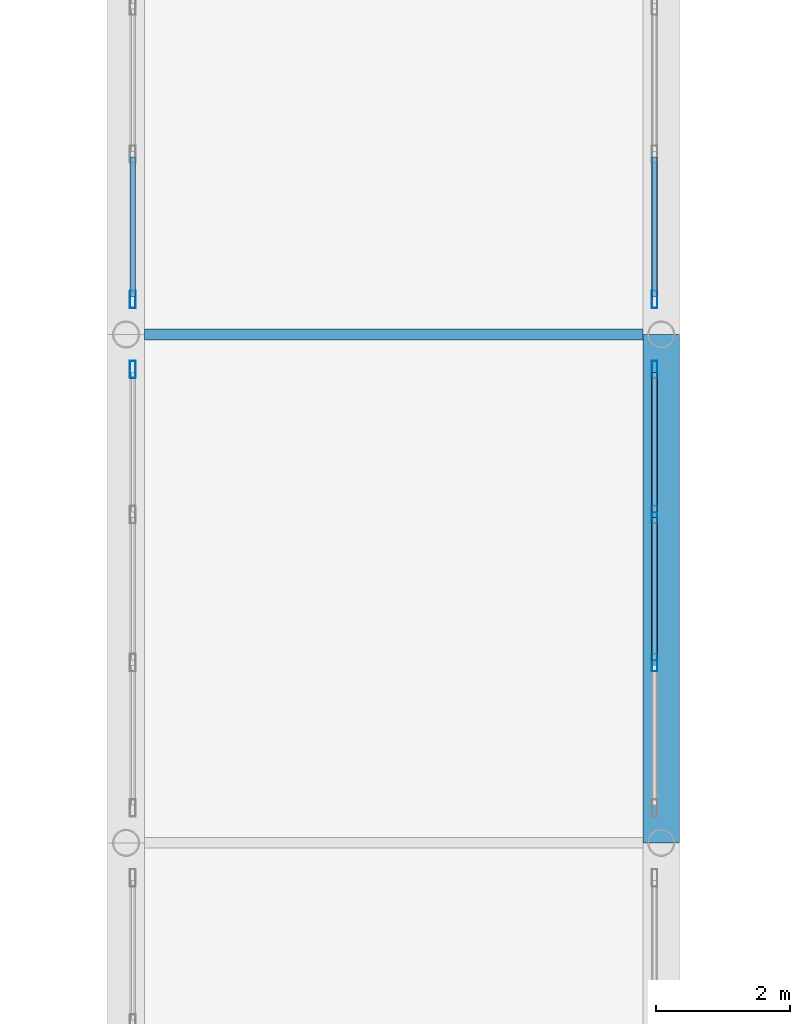
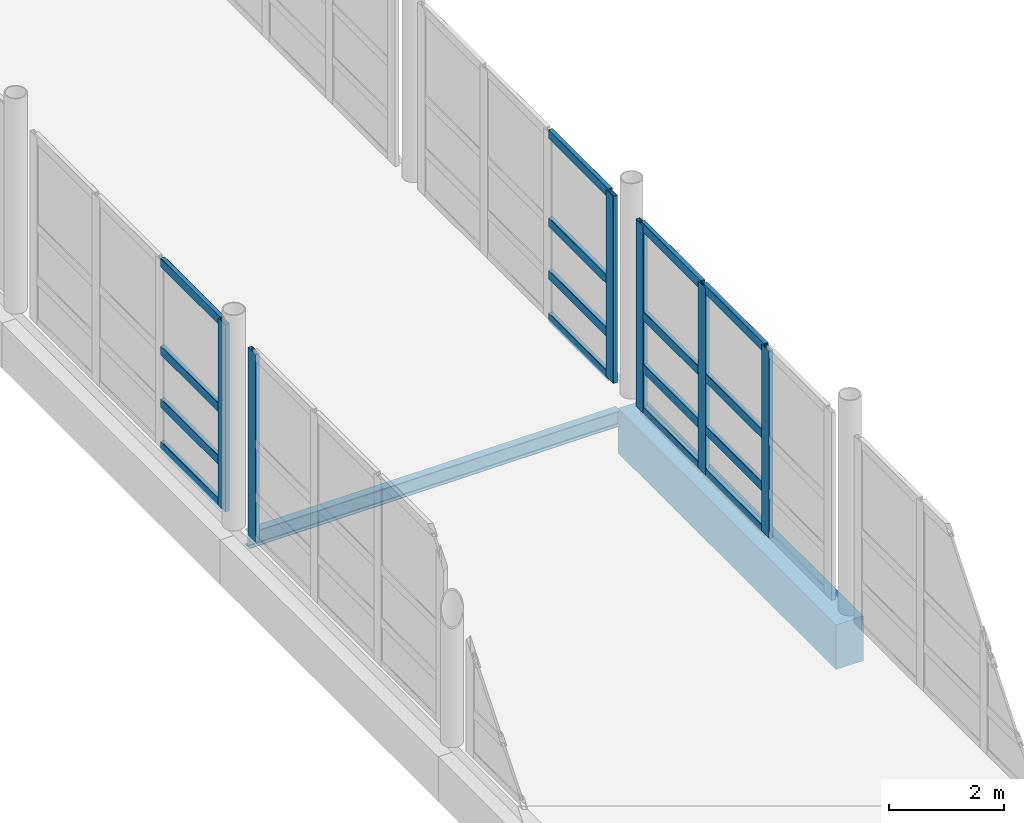
# One storey, part 60 of 141: 22 members, 2 beams, 4 elements without a shape of their own.
"""IFC4 building model written with IfcOpenShell, lengths in metres."""

from ifc_helpers import new_model, si_unit, direction, frame, origin, origin_2d, place, context, subcontext, project, spatial, rectangle, hollow_rectangle, i_section, extrude, material, material_profile, profile_set, type_object, element, aggregate, save


model = new_model("IFC4")

# Units and contexts
model_context = context("Model", 3, precision=1e-05, world=origin(), true_north=direction((0.0, 1.0)))
body_context = subcontext(model_context, "Body", "Model", "MODEL_VIEW")
ifc_project = project(units=[si_unit("LENGTHUNIT", "METRE"), si_unit("AREAUNIT", "SQUARE_METRE"), si_unit("VOLUMEUNIT", "CUBIC_METRE"), si_unit("PLANEANGLEUNIT", "RADIAN"), si_unit("MASSUNIT", "GRAM", prefix="KILO")], contexts=[model_context])

# Site, building, storey
site_placement = place(None, origin())
site = spatial("IfcSite", under=ifc_project, at=site_placement, CompositionType="ELEMENT")
building_placement = place(site_placement, origin())
building = spatial("IfcBuilding", under=site, at=building_placement, Name="Khelvaren Railside Concert Hall", CompositionType="ELEMENT")
storey_placement = place(building_placement, frame((0.0, 0.0, 10.199951171875)))
storey = spatial("IfcBuildingStorey", under=building, at=storey_placement, Name="L02", CompositionType="ELEMENT", Elevation=10.199951171875)

# Curtain wall, member
ifc_material_1 = material(Name="Acoustic laminated crystal facade glass", Category="glass")
curtain_wall_type = type_object("IfcCurtainWallType", Name="CW78", PredefinedType="USERDEFINED", material=ifc_material_1)
curtain_wall_1_placement = place(storey_placement, origin())
curtain_wall_1 = element("IfcCurtainWall", 1, at=curtain_wall_1_placement, inside=storey, type_object=curtain_wall_type, Name="Unitised Curtain Wall CW-LB4-L02-W3", ObjectType="UNITISED CURTAIN WALL", PredefinedType="USERDEFINED")
ifc_material_2 = material(Name="Anodised architectural aluminium 6063-T6", Category="aluminium")
ifc_material_profile_1 = material_profile(ifc_material_2, hollow_rectangle(XDim=0.0849609375, YDim=0.260009765625, WallThickness=0.0048828125, InnerFilletRadius=0.0029296875, OuterFilletRadius=0.0048828125, at=origin_2d()), Name="CWM 85x260x5")
ifc_profile_set_1 = profile_set([ifc_material_profile_1], Name="Anodised architectural aluminium 6063-T6")
member_type_1 = type_object("IfcMemberType", Name="CWM40", PredefinedType="MULLION", material=ifc_profile_set_1)
member_1_placement = place(storey_placement, frame((160.10009765625, 60.277587890625, 0.0), z_axis=(0.0, 0.0, 1.0), x_axis=(-1.0, 0.0, 0.0)))
member_1 = element("IfcMember", 2, at=member_1_placement, type_object=member_type_1, Name="CW78 mullion 4", PredefinedType="MULLION", context=body_context, shape_type="SweptSolid", body=[
    extrude(hollow_rectangle(XDim=0.0849609375, YDim=0.260009765625, WallThickness=0.0048828125, InnerFilletRadius=0.0029296875, OuterFilletRadius=0.0048828125, at=origin_2d()), origin(), (0.0, 0.0, 1.0), 3.97998046875),
])
aggregate(curtain_wall_1, [member_1])

# Curtain wall, members
curtain_wall_2_placement = place(storey_placement, origin())
curtain_wall_2 = element("IfcCurtainWall", 3, at=curtain_wall_2_placement, inside=storey, type_object=curtain_wall_type, Name="Unitised Curtain Wall CW-LB4-L02-E3", ObjectType="UNITISED CURTAIN WALL", PredefinedType="USERDEFINED")
member_2_placement = place(storey_placement, frame((167.89990234375, 60.277587890625, 0.0), z_axis=(0.0, 0.0, 1.0), x_axis=(1.0, 0.0, 0.0)))
member_2 = element("IfcMember", 4, at=member_2_placement, type_object=member_type_1, Name="CW78 mullion 1", PredefinedType="MULLION", context=body_context, shape_type="SweptSolid", body=[
    extrude(hollow_rectangle(XDim=0.0849609375, YDim=0.260009765625, WallThickness=0.0048828125, InnerFilletRadius=0.0029296875, OuterFilletRadius=0.0048828125, at=origin_2d()), origin(), (0.0, 0.0, 1.0), 3.97998046875),
])
member_3_placement = place(storey_placement, frame((167.89990234375, 58.106689453125, 0.0), z_axis=(0.0, 0.0, 1.0), x_axis=(1.0, 0.0, 0.0)))
member_3 = element("IfcMember", 5, at=member_3_placement, type_object=member_type_1, Name="CW78 mullion 2", PredefinedType="MULLION", context=body_context, shape_type="SweptSolid", body=[
    extrude(hollow_rectangle(XDim=0.0849609375, YDim=0.260009765625, WallThickness=0.0048828125, InnerFilletRadius=0.0029296875, OuterFilletRadius=0.0048828125, at=origin_2d()), origin(), (0.0, 0.0, 1.0), 3.97998046875),
])
member_4_placement = place(storey_placement, frame((167.89990234375, 55.893310546875, 0.0), z_axis=(0.0, 0.0, 1.0), x_axis=(1.0, 0.0, 0.0)))
member_4 = element("IfcMember", 6, at=member_4_placement, type_object=member_type_1, Name="CW78 mullion 3", PredefinedType="MULLION", context=body_context, shape_type="SweptSolid", body=[
    extrude(hollow_rectangle(XDim=0.0849609375, YDim=0.260009765625, WallThickness=0.0048828125, InnerFilletRadius=0.0029296875, OuterFilletRadius=0.0048828125, at=origin_2d()), origin(), (0.0, 0.0, 1.0), 3.97998046875),
])

# Curtain wall, member
curtain_wall_3_placement = place(storey_placement, origin())
curtain_wall_3 = element("IfcCurtainWall", 7, at=curtain_wall_3_placement, inside=storey, type_object=curtain_wall_type, Name="Unitised Curtain Wall CW-LB4-L02-W4", ObjectType="UNITISED CURTAIN WALL", PredefinedType="USERDEFINED")
member_5_placement = place(storey_placement, frame((160.10009765625, 61.322509765625, 0.0), z_axis=(0.0, 0.0, 1.0), x_axis=(-1.0, 0.0, 0.0)))
member_5 = element("IfcMember", 8, at=member_5_placement, type_object=member_type_1, Name="CW78 mullion 1", PredefinedType="MULLION", context=body_context, shape_type="SweptSolid", body=[
    extrude(hollow_rectangle(XDim=0.0849609375, YDim=0.260009765625, WallThickness=0.0048828125, InnerFilletRadius=0.0029296875, OuterFilletRadius=0.0048828125, at=origin_2d()), origin(), (0.0, 0.0, 1.0), 3.97998046875),
])

curtain_wall_4_placement = place(storey_placement, origin())
curtain_wall_4 = element("IfcCurtainWall", 9, at=curtain_wall_4_placement, inside=storey, type_object=curtain_wall_type, Name="Unitised Curtain Wall CW-LB4-L02-E4", ObjectType="UNITISED CURTAIN WALL", PredefinedType="USERDEFINED")
member_6_placement = place(storey_placement, frame((167.89990234375, 61.322509765625, 0.0), z_axis=(0.0, 0.0, 1.0), x_axis=(1.0, 0.0, 0.0)))
member_6 = element("IfcMember", 10, at=member_6_placement, type_object=member_type_1, Name="CW78 mullion 4", PredefinedType="MULLION", context=body_context, shape_type="SweptSolid", body=[
    extrude(hollow_rectangle(XDim=0.0849609375, YDim=0.260009765625, WallThickness=0.0048828125, InnerFilletRadius=0.0029296875, OuterFilletRadius=0.0048828125, at=origin_2d()), origin(), (0.0, 0.0, 1.0), 3.97998046875),
])

# Member
ifc_material_profile_2 = material_profile(ifc_material_2, hollow_rectangle(XDim=0.0849609375, YDim=0.18994140625, WallThickness=0.0048828125, InnerFilletRadius=0.0029296875, OuterFilletRadius=0.0048828125, at=origin_2d()), Name="CWT 85x190x5")
ifc_profile_set_2 = profile_set([ifc_material_profile_2], Name="Anodised architectural aluminium 6063-T6")
member_type_2 = type_object("IfcMemberType", Name="CWT31", PredefinedType="USERDEFINED", material=ifc_profile_set_2)
member_7_placement = place(storey_placement, frame((167.89990234375, 60.235107421875, 0.04248046875), z_axis=(0.0, -1.0, 0.0), x_axis=(1.0, 0.0, 0.0)))
member_7 = element("IfcMember", 11, at=member_7_placement, type_object=member_type_2, Name="CW78 transom 1.1", ObjectType="TRANSOM", PredefinedType="USERDEFINED", context=body_context, shape_type="SweptSolid", body=[
    extrude(hollow_rectangle(XDim=0.0849609375, YDim=0.18994140625, WallThickness=0.0048828125, InnerFilletRadius=0.0029296875, OuterFilletRadius=0.0048828125, at=origin_2d()), origin(), (0.0, 0.0, 1.0), 2.0859375),
])

member_8_placement = place(storey_placement, frame((167.89990234375, 60.235107421875, 0.949951171875), z_axis=(0.0, -1.0, 0.0), x_axis=(1.0, 0.0, 0.0)))
member_8 = element("IfcMember", 12, at=member_8_placement, type_object=member_type_2, Name="CW78 transom 1.2", ObjectType="TRANSOM", PredefinedType="USERDEFINED", context=body_context, shape_type="SweptSolid", body=[
    extrude(hollow_rectangle(XDim=0.0849609375, YDim=0.18994140625, WallThickness=0.0048828125, InnerFilletRadius=0.0029296875, OuterFilletRadius=0.0048828125, at=origin_2d()), origin(), (0.0, 0.0, 1.0), 2.0859375),
])

member_9_placement = place(storey_placement, frame((167.89990234375, 60.235107421875, 2.069580078125), z_axis=(0.0, -1.0, 0.0), x_axis=(1.0, 0.0, 0.0)))
member_9 = element("IfcMember", 13, at=member_9_placement, type_object=member_type_2, Name="CW78 transom 1.3", ObjectType="TRANSOM", PredefinedType="USERDEFINED", context=body_context, shape_type="SweptSolid", body=[
    extrude(hollow_rectangle(XDim=0.0849609375, YDim=0.18994140625, WallThickness=0.0048828125, InnerFilletRadius=0.0029296875, OuterFilletRadius=0.0048828125, at=origin_2d()), origin(), (0.0, 0.0, 1.0), 2.0859375),
])

member_10_placement = place(storey_placement, frame((167.89990234375, 60.235107421875, 3.9375), z_axis=(0.0, -1.0, 0.0), x_axis=(1.0, 0.0, 0.0)))
member_10 = element("IfcMember", 14, at=member_10_placement, type_object=member_type_2, Name="CW78 transom 1.4", ObjectType="TRANSOM", PredefinedType="USERDEFINED", context=body_context, shape_type="SweptSolid", body=[
    extrude(hollow_rectangle(XDim=0.0849609375, YDim=0.18994140625, WallThickness=0.0048828125, InnerFilletRadius=0.0029296875, OuterFilletRadius=0.0048828125, at=origin_2d()), origin(), (0.0, 0.0, 1.0), 2.0859375),
])

member_11_placement = place(storey_placement, frame((167.89990234375, 58.064208984375, 0.04248046875), z_axis=(0.0, -1.0, 0.0), x_axis=(1.0, 0.0, 0.0)))
member_11 = element("IfcMember", 15, at=member_11_placement, type_object=member_type_2, Name="CW78 transom 2.1", ObjectType="TRANSOM", PredefinedType="USERDEFINED", context=body_context, shape_type="SweptSolid", body=[
    extrude(hollow_rectangle(XDim=0.0849609375, YDim=0.18994140625, WallThickness=0.0048828125, InnerFilletRadius=0.0029296875, OuterFilletRadius=0.0048828125, at=origin_2d()), origin(), (0.0, 0.0, 1.0), 2.12841796875),
])

member_12_placement = place(storey_placement, frame((167.89990234375, 58.064208984375, 0.949951171875), z_axis=(0.0, -1.0, 0.0), x_axis=(1.0, 0.0, 0.0)))
member_12 = element("IfcMember", 16, at=member_12_placement, type_object=member_type_2, Name="CW78 transom 2.2", ObjectType="TRANSOM", PredefinedType="USERDEFINED", context=body_context, shape_type="SweptSolid", body=[
    extrude(hollow_rectangle(XDim=0.0849609375, YDim=0.18994140625, WallThickness=0.0048828125, InnerFilletRadius=0.0029296875, OuterFilletRadius=0.0048828125, at=origin_2d()), origin(), (0.0, 0.0, 1.0), 2.12841796875),
])

member_13_placement = place(storey_placement, frame((167.89990234375, 58.064208984375, 2.069580078125), z_axis=(0.0, -1.0, 0.0), x_axis=(1.0, 0.0, 0.0)))
member_13 = element("IfcMember", 17, at=member_13_placement, type_object=member_type_2, Name="CW78 transom 2.3", ObjectType="TRANSOM", PredefinedType="USERDEFINED", context=body_context, shape_type="SweptSolid", body=[
    extrude(hollow_rectangle(XDim=0.0849609375, YDim=0.18994140625, WallThickness=0.0048828125, InnerFilletRadius=0.0029296875, OuterFilletRadius=0.0048828125, at=origin_2d()), origin(), (0.0, 0.0, 1.0), 2.12841796875),
])

member_14_placement = place(storey_placement, frame((167.89990234375, 58.064208984375, 3.9375), z_axis=(0.0, -1.0, 0.0), x_axis=(1.0, 0.0, 0.0)))
member_14 = element("IfcMember", 18, at=member_14_placement, type_object=member_type_2, Name="CW78 transom 2.4", ObjectType="TRANSOM", PredefinedType="USERDEFINED", context=body_context, shape_type="SweptSolid", body=[
    extrude(hollow_rectangle(XDim=0.0849609375, YDim=0.18994140625, WallThickness=0.0048828125, InnerFilletRadius=0.0029296875, OuterFilletRadius=0.0048828125, at=origin_2d()), origin(), (0.0, 0.0, 1.0), 2.12841796875),
])

aggregate(curtain_wall_2, [member_2, member_3, member_4, member_7, member_8, member_9, member_10, member_11, member_12, member_13, member_14])

member_15_placement = place(storey_placement, frame((160.10009765625, 61.364990234375, 0.04248046875), z_axis=(0.0, 1.0, 0.0), x_axis=(-1.0, 0.0, 0.0)))
member_15 = element("IfcMember", 19, at=member_15_placement, type_object=member_type_2, Name="CW78 transom 1.1", ObjectType="TRANSOM", PredefinedType="USERDEFINED", context=body_context, shape_type="SweptSolid", body=[
    extrude(hollow_rectangle(XDim=0.0849609375, YDim=0.18994140625, WallThickness=0.0048828125, InnerFilletRadius=0.0029296875, OuterFilletRadius=0.0048828125, at=origin_2d()), origin(), (0.0, 0.0, 1.0), 2.0859375),
])

member_16_placement = place(storey_placement, frame((160.10009765625, 61.364990234375, 0.949951171875), z_axis=(0.0, 1.0, 0.0), x_axis=(-1.0, 0.0, 0.0)))
member_16 = element("IfcMember", 20, at=member_16_placement, type_object=member_type_2, Name="CW78 transom 1.2", ObjectType="TRANSOM", PredefinedType="USERDEFINED", context=body_context, shape_type="SweptSolid", body=[
    extrude(hollow_rectangle(XDim=0.0849609375, YDim=0.18994140625, WallThickness=0.0048828125, InnerFilletRadius=0.0029296875, OuterFilletRadius=0.0048828125, at=origin_2d()), origin(), (0.0, 0.0, 1.0), 2.0859375),
])

member_17_placement = place(storey_placement, frame((160.10009765625, 61.364990234375, 2.069580078125), z_axis=(0.0, 1.0, 0.0), x_axis=(-1.0, 0.0, 0.0)))
member_17 = element("IfcMember", 21, at=member_17_placement, type_object=member_type_2, Name="CW78 transom 1.3", ObjectType="TRANSOM", PredefinedType="USERDEFINED", context=body_context, shape_type="SweptSolid", body=[
    extrude(hollow_rectangle(XDim=0.0849609375, YDim=0.18994140625, WallThickness=0.0048828125, InnerFilletRadius=0.0029296875, OuterFilletRadius=0.0048828125, at=origin_2d()), origin(), (0.0, 0.0, 1.0), 2.0859375),
])

member_18_placement = place(storey_placement, frame((160.10009765625, 61.364990234375, 3.9375), z_axis=(0.0, 1.0, 0.0), x_axis=(-1.0, 0.0, 0.0)))
member_18 = element("IfcMember", 22, at=member_18_placement, type_object=member_type_2, Name="CW78 transom 1.4", ObjectType="TRANSOM", PredefinedType="USERDEFINED", context=body_context, shape_type="SweptSolid", body=[
    extrude(hollow_rectangle(XDim=0.0849609375, YDim=0.18994140625, WallThickness=0.0048828125, InnerFilletRadius=0.0029296875, OuterFilletRadius=0.0048828125, at=origin_2d()), origin(), (0.0, 0.0, 1.0), 2.0859375),
])

aggregate(curtain_wall_3, [member_5, member_15, member_16, member_17, member_18])

member_19_placement = place(storey_placement, frame((167.89990234375, 63.450927734375, 0.04248046875), z_axis=(0.0, -1.0, 0.0), x_axis=(1.0, 0.0, 0.0)))
member_19 = element("IfcMember", 23, at=member_19_placement, type_object=member_type_2, Name="CW78 transom 3.1", ObjectType="TRANSOM", PredefinedType="USERDEFINED", context=body_context, shape_type="SweptSolid", body=[
    extrude(hollow_rectangle(XDim=0.0849609375, YDim=0.18994140625, WallThickness=0.0048828125, InnerFilletRadius=0.0029296875, OuterFilletRadius=0.0048828125, at=origin_2d()), origin(), (0.0, 0.0, 1.0), 2.0859375),
])

member_20_placement = place(storey_placement, frame((167.89990234375, 63.450927734375, 0.949951171875), z_axis=(0.0, -1.0, 0.0), x_axis=(1.0, 0.0, 0.0)))
member_20 = element("IfcMember", 24, at=member_20_placement, type_object=member_type_2, Name="CW78 transom 3.2", ObjectType="TRANSOM", PredefinedType="USERDEFINED", context=body_context, shape_type="SweptSolid", body=[
    extrude(hollow_rectangle(XDim=0.0849609375, YDim=0.18994140625, WallThickness=0.0048828125, InnerFilletRadius=0.0029296875, OuterFilletRadius=0.0048828125, at=origin_2d()), origin(), (0.0, 0.0, 1.0), 2.0859375),
])

member_21_placement = place(storey_placement, frame((167.89990234375, 63.450927734375, 2.069580078125), z_axis=(0.0, -1.0, 0.0), x_axis=(1.0, 0.0, 0.0)))
member_21 = element("IfcMember", 25, at=member_21_placement, type_object=member_type_2, Name="CW78 transom 3.3", ObjectType="TRANSOM", PredefinedType="USERDEFINED", context=body_context, shape_type="SweptSolid", body=[
    extrude(hollow_rectangle(XDim=0.0849609375, YDim=0.18994140625, WallThickness=0.0048828125, InnerFilletRadius=0.0029296875, OuterFilletRadius=0.0048828125, at=origin_2d()), origin(), (0.0, 0.0, 1.0), 2.0859375),
])

member_22_placement = place(storey_placement, frame((167.89990234375, 63.450927734375, 3.9375), z_axis=(0.0, -1.0, 0.0), x_axis=(1.0, 0.0, 0.0)))
member_22 = element("IfcMember", 26, at=member_22_placement, type_object=member_type_2, Name="CW78 transom 3.4", ObjectType="TRANSOM", PredefinedType="USERDEFINED", context=body_context, shape_type="SweptSolid", body=[
    extrude(hollow_rectangle(XDim=0.0849609375, YDim=0.18994140625, WallThickness=0.0048828125, InnerFilletRadius=0.0029296875, OuterFilletRadius=0.0048828125, at=origin_2d()), origin(), (0.0, 0.0, 1.0), 2.0859375),
])

aggregate(curtain_wall_4, [member_6, member_19, member_20, member_21, member_22])

# Beams
ifc_material_3 = material(Name="Concrete C40/50", Category="concrete")
ifc_material_profile_3 = material_profile(ifc_material_3, rectangle(XDim=0.550048828125, YDim=0.949951171875, at=origin_2d()), Name="RCB 550x950")
ifc_profile_set_3 = profile_set([ifc_material_profile_3], Name="Concrete C40/50")
beam_type_1 = type_object("IfcBeamType", Name="GR75", PredefinedType="T_BEAM", material=ifc_profile_set_3)
beam_1_placement = place(storey_placement, frame((168.0, 53.199951171875, -0.71484375), z_axis=(0.0, 1.0, 0.0), x_axis=(-1.0, 0.0, 0.0)))
element("IfcBeam", 27, at=beam_1_placement, inside=storey, type_object=beam_type_1, Name="East Backstage Artist Link Bridge L02 Bridge Girder 2.3", PredefinedType="T_BEAM", context=body_context, shape_type="SweptSolid", body=[
    extrude(rectangle(XDim=0.550048828125, YDim=0.949951171875, at=origin_2d()), origin(), (0.0, 0.0, 1.0), 7.60009765625),
])
ifc_material_4 = material(Name="Steel S355", Category="steel")
ifc_material_profile_4 = material_profile(ifc_material_4, i_section(OverallWidth=0.159912109375, OverallDepth=0.330078125, WebThickness=0.007568359375, FlangeThickness=0.011474609375, FilletRadius=0.01806640625, at=origin_2d()), Name="IPE 330")
ifc_profile_set_4 = profile_set([ifc_material_profile_4], Name="Steel S355")
beam_type_2 = type_object("IfcBeamType", Name="JS65", PredefinedType="JOIST", material=ifc_profile_set_4)
beam_2_placement = place(storey_placement, frame((160.27490234375, 60.800048828125, -0.405029296875), z_axis=(1.0, 0.0, 0.0), x_axis=(0.0, 1.0, 0.0)))
element("IfcBeam", 28, at=beam_2_placement, inside=storey, type_object=beam_type_2, Name="East Backstage Artist Link Bridge L02 Bridge Cross Joist 3", PredefinedType="JOIST", context=body_context, shape_type="SweptSolid", body=[
    extrude(i_section(OverallWidth=0.159912109375, OverallDepth=0.330078125, WebThickness=0.007568359375, FlangeThickness=0.011474609375, FilletRadius=0.01806640625, at=origin_2d()), origin(), (0.0, 0.0, 1.0), 7.4501953125),
])

save(model, "model.ifc")
